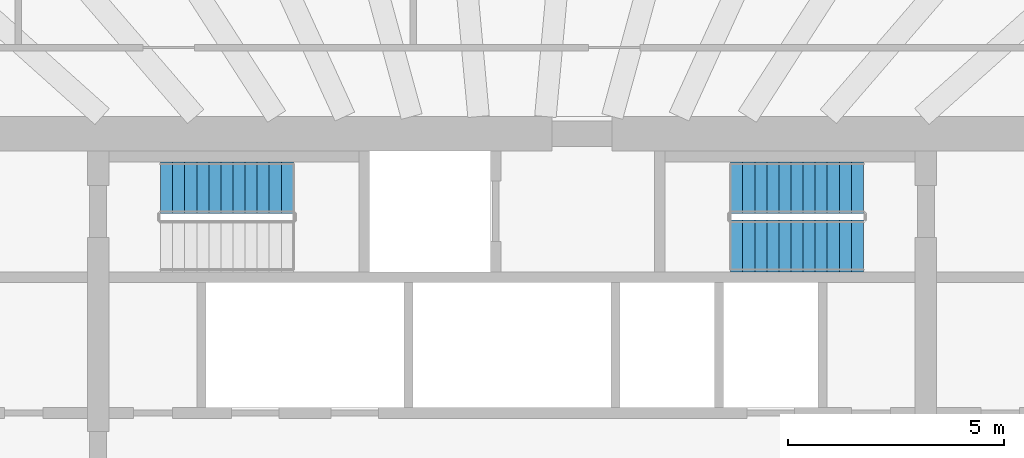
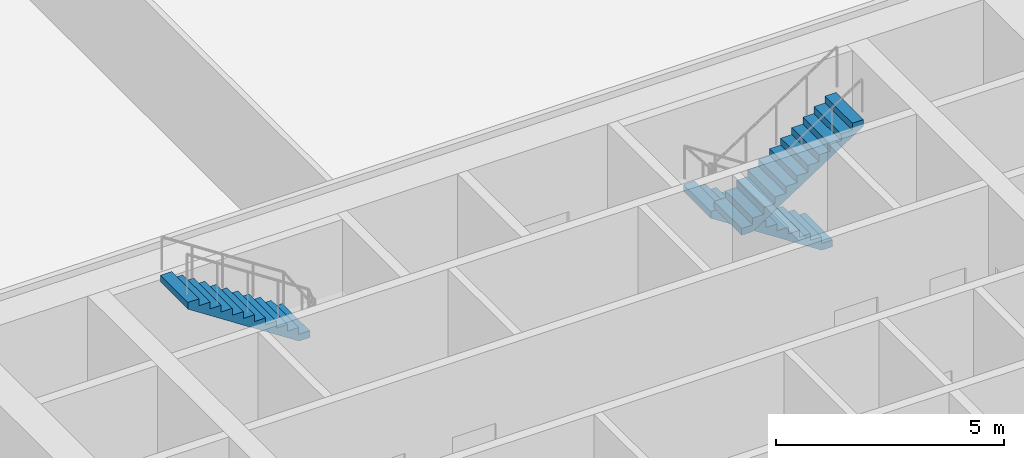
# One storey, part 8 of 12: 3 stair flights, 2 elements without a shape of their own.
"""IFC4 building model written with IfcOpenShell, lengths in metres."""

from ifc_helpers import new_model, si_unit, direction, frame, origin, place, context, subcontext, project, spatial, polyline, outline, extrude, material, layer, layer_set, type_object, element, aggregate, save


model = new_model("IFC4")

# Units and contexts
model_context = context("Model", 3, precision=1e-05, world=origin(), true_north=direction((0.0, 1.0)))
body_context = subcontext(model_context, "Body", "Model", "MODEL_VIEW")
ifc_project = project(units=[si_unit("LENGTHUNIT", "METRE"), si_unit("AREAUNIT", "SQUARE_METRE"), si_unit("VOLUMEUNIT", "CUBIC_METRE"), si_unit("PLANEANGLEUNIT", "RADIAN"), si_unit("MASSUNIT", "GRAM", prefix="KILO")], contexts=[model_context])

# Site, building, storey
site_placement = place(None, origin())
site = spatial("IfcSite", under=ifc_project, at=site_placement, CompositionType="ELEMENT")
building_placement = place(site_placement, origin())
building = spatial("IfcBuilding", under=site, at=building_placement, Name="Frailejon Research Tower", CompositionType="ELEMENT")
storey_placement = place(building_placement, frame((0.0, 0.0, 135.199951171875)))
storey = spatial("IfcBuildingStorey", under=building, at=storey_placement, Name="L29", CompositionType="ELEMENT", Elevation=135.199951171875)

# Stair, stair flight
ifc_material_1 = material(Name="Concrete C50/60", Category="concrete")
stair_type = type_object("IfcStairType", Name="Exit stair 24 risers", PredefinedType="HALF_TURN_STAIR", material=ifc_material_1)
stair_1_placement = place(storey_placement, origin())
stair_1 = element("IfcStair", 1, at=stair_1_placement, inside=storey, type_object=stair_type, Name="L29 Exit stair ST1", PredefinedType="HALF_TURN_STAIR")
ifc_material_2 = material(Name="Concrete C50/60", Category="concrete")
ifc_layer = layer(ifc_material_2, 0.14990234375)
ifc_layer_set = layer_set([ifc_layer], Name="Stair flight 12 risers")
stair_flight_type = type_object("IfcStairFlightType", Name="Stair flight 12 risers", PredefinedType="STRAIGHT", material=ifc_layer_set)
stair_flight_1_placement = place(storey_placement, frame((-5.070068359375, 6.85009765625, 2.199951171875), z_axis=(0.0, 0.0, 1.0), x_axis=(-1.0, 0.0, 0.0)))
stair_flight_1 = element("IfcStairFlight", 2, at=stair_flight_1_placement, type_object=stair_flight_type, Name="ST1 flight 2", NumberOfRisers=12, NumberOfTreads=11, PredefinedType="STRAIGHT", RiserHeight=0.183333333, TreadLength=0.28, context=body_context, shape_type="SweptSolid", body=[
    extrude(outline(polyline([(0.0, 0.0), (0.0, 0.183349609375), (0.280029296875, 0.183349609375), (0.280029296875, 0.36669921875), (0.56005859375, 0.36669921875), (0.56005859375, 0.550048828125), (0.840087890625, 0.550048828125), (0.840087890625, 0.7333984375), (1.1201171875, 0.7333984375), (1.1201171875, 0.916748046875), (1.39990234375, 0.916748046875), (1.39990234375, 1.10009765625), (1.679931640625, 1.10009765625), (1.679931640625, 1.283447265625), (1.9599609375, 1.283447265625), (1.9599609375, 1.466552734375), (2.239990234375, 1.466552734375), (2.239990234375, 1.64990234375), (2.52001953125, 1.64990234375), (2.52001953125, 1.833251953125), (2.800048828125, 1.833251953125), (2.800048828125, 2.0166015625), (3.080078125, 2.0166015625), (3.080078125, 2.199951171875), (3.080078125, 1.83740234375), (0.273681640625, 0.0), (0.0, 0.0)])), frame((0.0, 0.60009765625, 0.0), z_axis=(0.0, -1.0, 0.0), x_axis=(1.0, 0.0, 0.0)), (0.0, 0.0, 1.0), 1.199951171875),
])
aggregate(stair_1, [stair_flight_1])

# Stair, stair flights
stair_2_placement = place(storey_placement, origin())
stair_2 = element("IfcStair", 3, at=stair_2_placement, inside=storey, type_object=stair_type, Name="L29 Exit stair ST3", PredefinedType="HALF_TURN_STAIR")
stair_flight_2_placement = place(storey_placement, frame((8.14990234375, 6.85009765625, 0.0), z_axis=(0.0, 0.0, 1.0), x_axis=(-1.0, 0.0, 0.0)))
stair_flight_2 = element("IfcStairFlight", 4, at=stair_flight_2_placement, type_object=stair_flight_type, Name="ST3 flight 1", NumberOfRisers=12, NumberOfTreads=11, PredefinedType="STRAIGHT", RiserHeight=0.183333333, TreadLength=0.28, context=body_context, shape_type="SweptSolid", body=[
    extrude(outline(polyline([(0.0, 0.0), (0.0, 0.183349609375), (0.280029296875, 0.183349609375), (0.280029296875, 0.36669921875), (0.56005859375, 0.36669921875), (0.56005859375, 0.550048828125), (0.840087890625, 0.550048828125), (0.840087890625, 0.7333984375), (1.1201171875, 0.7333984375), (1.1201171875, 0.916748046875), (1.39990234375, 0.916748046875), (1.39990234375, 1.10009765625), (1.679931640625, 1.10009765625), (1.679931640625, 1.283447265625), (1.9599609375, 1.283447265625), (1.9599609375, 1.466552734375), (2.239990234375, 1.466552734375), (2.239990234375, 1.64990234375), (2.52001953125, 1.64990234375), (2.52001953125, 1.833251953125), (2.800048828125, 1.833251953125), (2.800048828125, 2.0166015625), (3.080078125, 2.0166015625), (3.080078125, 2.199951171875), (3.080078125, 1.83740234375), (0.273681640625, 0.0), (0.0, 0.0)])), frame((0.0, 0.60009765625, 0.0), z_axis=(0.0, -1.0, 0.0), x_axis=(1.0, 0.0, 0.0)), (0.0, 0.0, 1.0), 1.199951171875),
])
stair_flight_3_placement = place(storey_placement, frame((5.070068359375, 5.5, 2.199951171875), z_axis=(0.0, 0.0, 1.0), x_axis=(1.0, 0.0, 0.0)))
stair_flight_3 = element("IfcStairFlight", 5, at=stair_flight_3_placement, type_object=stair_flight_type, Name="ST3 flight 2", NumberOfRisers=12, NumberOfTreads=11, PredefinedType="STRAIGHT", RiserHeight=0.183333333, TreadLength=0.28, context=body_context, shape_type="SweptSolid", body=[
    extrude(outline(polyline([(0.0, 0.0), (0.0, 0.183349609375), (0.280029296875, 0.183349609375), (0.280029296875, 0.36669921875), (0.56005859375, 0.36669921875), (0.56005859375, 0.550048828125), (0.840087890625, 0.550048828125), (0.840087890625, 0.7333984375), (1.1201171875, 0.7333984375), (1.1201171875, 0.916748046875), (1.39990234375, 0.916748046875), (1.39990234375, 1.10009765625), (1.679931640625, 1.10009765625), (1.679931640625, 1.283447265625), (1.9599609375, 1.283447265625), (1.9599609375, 1.466552734375), (2.239990234375, 1.466552734375), (2.239990234375, 1.64990234375), (2.52001953125, 1.64990234375), (2.52001953125, 1.833251953125), (2.800048828125, 1.833251953125), (2.800048828125, 2.0166015625), (3.080078125, 2.0166015625), (3.080078125, 2.199951171875), (3.080078125, 1.83740234375), (0.273681640625, 0.0), (0.0, 0.0)])), frame((0.0, 0.60009765625, 0.0), z_axis=(0.0, -1.0, 0.0), x_axis=(1.0, 0.0, 0.0)), (0.0, 0.0, 1.0), 1.199951171875),
])
aggregate(stair_2, [stair_flight_2, stair_flight_3])

save(model, "model.ifc")
